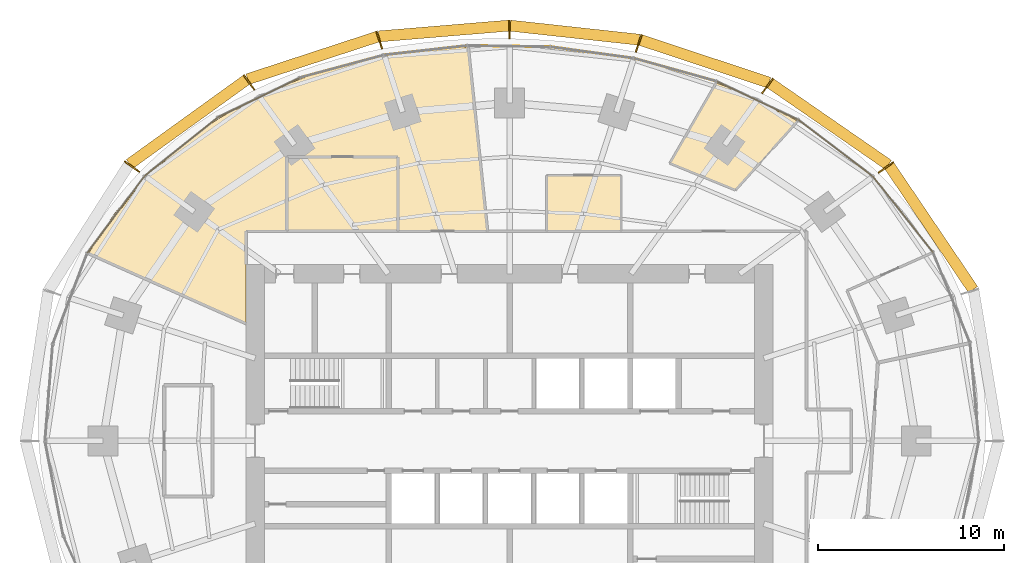
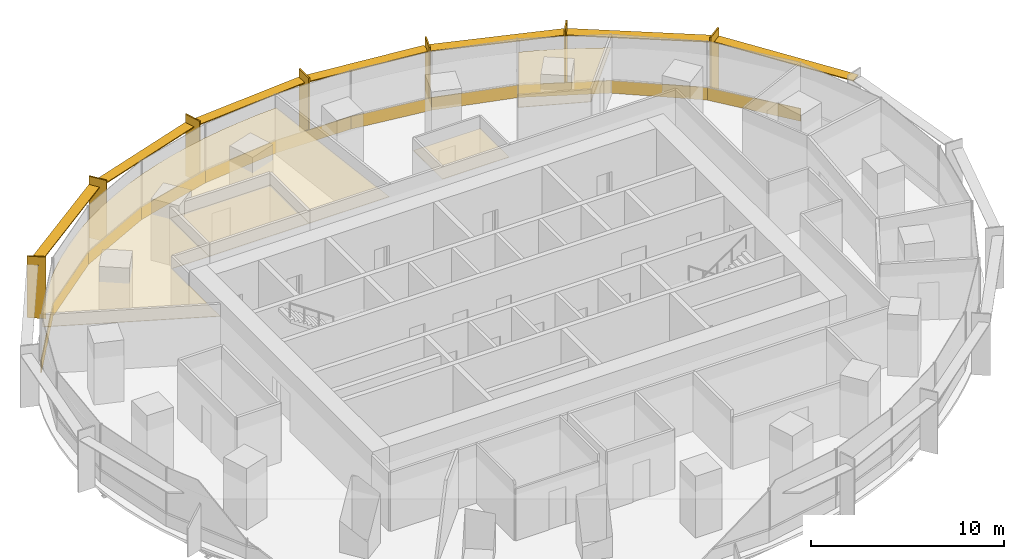
# One storey, part 14 of 14: 15 coverings, 14 shading devices.
"""IFC4 building model written with IfcOpenShell, lengths in metres."""

from ifc_helpers import new_model, si_unit, direction, frame, origin, origin_2d, place, context, subcontext, project, spatial, polyline, rectangle, outline, extrude, material, layer, layer_set, type_object, element, save


model = new_model("IFC4")

# Units and contexts
model_context = context("Model", 3, precision=1e-05, world=origin(), true_north=direction((0.0, 1.0)))
body_context = subcontext(model_context, "Body", "Model", "MODEL_VIEW")
ifc_project = project(units=[si_unit("LENGTHUNIT", "METRE"), si_unit("AREAUNIT", "SQUARE_METRE"), si_unit("VOLUMEUNIT", "CUBIC_METRE"), si_unit("PLANEANGLEUNIT", "RADIAN"), si_unit("MASSUNIT", "GRAM", prefix="KILO")], contexts=[model_context])

# Site, building, storey
site_placement = place(None, origin())
site = spatial("IfcSite", under=ifc_project, at=site_placement, CompositionType="ELEMENT")
building_placement = place(site_placement, origin())
building = spatial("IfcBuilding", under=site, at=building_placement, Name="Marramba Exchange Tower", CompositionType="ELEMENT")
storey_placement = place(building_placement, frame((0.0, 0.0, 131.39990234375)))
storey = spatial("IfcBuildingStorey", under=building, at=storey_placement, Name="L31", CompositionType="ELEMENT", Elevation=131.39990234375)

# Shading devices
ifc_material_1 = material(Name="Aluminium blade, timber-look bronze finish", Category="wood")
ifc_layer_1 = layer(ifc_material_1, 0.080078125)
ifc_layer_set_1 = layer_set([ifc_layer_1], Name="Floor-edge blade 1000x80")
shading_device_type_1 = type_object("IfcShadingDeviceType", Name="Floor-edge blade 1000x80", PredefinedType="USERDEFINED", material=ifc_layer_set_1)
for number, where, z_axis, x_axis, name in (
    (1, (20.27392578125, 14.72998046875, -0.159912109375), (0.0, 0.0, 1.0), (0.809016994375, 0.587785252292, 0.0), "Floor-edge blade FB1 L31 TC03"),
    (2, (13.8955078125, 19.12548828125, -0.159912109375), (0.0, 0.0, 1.0), (0.587785252292, 0.809016994375, 0.0), "Floor-edge blade FB1 L31 TC04"),
    (3, (6.958984375, 21.41748046875, -0.159912109375), (0.0, 0.0, 1.0), (0.309016994375, 0.951056516295, 0.0), "Floor-edge blade FB1 L31 TC05"),
    (4, (0.0, 22.173095703125, -0.159912109375), (0.0, 0.0, 1.0), (0.0, 1.0, 0.0), "Floor-edge blade FB1 L31 TC06"),
    (5, (-7.016845703125, 21.595703125, -0.159912109375), (0.0, 0.0, 1.0), (-0.309016994375, 0.951056516295, 0.0), "Floor-edge blade FB1 L31 TC07"),
    (6, (-14.029296875, 19.3095703125, -0.159912109375), (0.0, 0.0, 1.0), (-0.587785252292, 0.809016994375, 0.0), "Floor-edge blade FB1 L31 TC08"),
    (7, (-20.33642578125, 14.775390625, -0.159912109375), (0.0, 0.0, 1.0), (-0.809016994375, 0.587785252292, 0.0), "Floor-edge blade FB1 L31 TC09"),
):
    element("IfcShadingDevice", number, at=place(storey_placement, frame(where, z_axis=z_axis, x_axis=x_axis)), inside=storey, type_object=shading_device_type_1, Name=name, ObjectType="FIN", PredefinedType="USERDEFINED", context=body_context, shape_type="SweptSolid", body=[
        extrude(rectangle(XDim=1.0, YDim=0.080078125, at=origin_2d()), origin(), (0.0, 0.0, 1.0), 3.89990234375),
    ])
ifc_material_2 = material(Name="Aluminium sunshade, bronze anodised", Category="aluminium")
ifc_layer_2 = layer(ifc_material_2, 0.06005859375)
ifc_layer_set_2 = layer_set([ifc_layer_2], Name="SUNSHADE blade 600x60")
shading_device_type_2 = type_object("IfcShadingDeviceType", Name="SUNSHADE blade 600x60", PredefinedType="USERDEFINED", material=ifc_layer_set_2)
shading_device_1_placement = place(storey_placement, frame((22.712158203125, 11.4833984375, 3.16015625), z_axis=(0.0, 0.0, 1.0), x_axis=(-0.560441804861, 0.828193807852, 0.0)))
element("IfcShadingDevice", 8, at=shading_device_1_placement, inside=storey, type_object=shading_device_type_2, Name="Sunshade SS1 L31 bay 02", ObjectType="SUNSHADE", PredefinedType="USERDEFINED", context=body_context, shape_type="SweptSolid", body=[
    extrude(rectangle(XDim=8.0439453125, YDim=0.60009765625, at=origin_2d()), origin(), (0.0, 0.0, 1.0), 0.06005859375),
])
shading_device_2_placement = place(storey_placement, frame((17.224365234375, 17.0673828125, 3.16015625), z_axis=(0.0, 0.0, 1.0), x_axis=(-0.822589509071, 0.568635647464, 0.0)))
element("IfcShadingDevice", 9, at=shading_device_2_placement, inside=storey, type_object=shading_device_type_2, Name="Sunshade SS1 L31 bay 03", ObjectType="SUNSHADE", PredefinedType="USERDEFINED", context=body_context, shape_type="SweptSolid", body=[
    extrude(rectangle(XDim=7.72802734375, YDim=0.60009765625, at=origin_2d()), origin(), (0.0, 0.0, 1.0), 0.06005859375),
])
shading_device_3_placement = place(storey_placement, frame((10.516845703125, 20.447509765625, 3.16015625), z_axis=(0.0, 0.0, 1.0), x_axis=(-0.949101076178, 0.314971660944, 0.0)))
element("IfcShadingDevice", 10, at=shading_device_3_placement, inside=storey, type_object=shading_device_type_2, Name="Sunshade SS1 L31 bay 04", ObjectType="SUNSHADE", PredefinedType="USERDEFINED", context=body_context, shape_type="SweptSolid", body=[
    extrude(rectangle(XDim=7.287353515625, YDim=0.60009765625, at=origin_2d()), origin(), (0.0, 0.0, 1.0), 0.06005859375),
])
shading_device_4_placement = place(storey_placement, frame((3.510498046875, 21.990478515625, 3.16015625), z_axis=(0.0, 0.0, 1.0), x_axis=(-0.994111392801, 0.108362995081, 0.0)))
element("IfcShadingDevice", 11, at=shading_device_4_placement, inside=storey, type_object=shading_device_type_2, Name="Sunshade SS1 L31 bay 05", ObjectType="SUNSHADE", PredefinedType="USERDEFINED", context=body_context, shape_type="SweptSolid", body=[
    extrude(rectangle(XDim=6.982421875, YDim=0.60009765625, at=origin_2d()), origin(), (0.0, 0.0, 1.0), 0.06005859375),
])
shading_device_5_placement = place(storey_placement, frame((-3.539306640625, 22.07958984375, 3.16015625), z_axis=(0.0, 0.0, 1.0), x_axis=(-0.996577838412, -0.08265961521, 0.0)))
element("IfcShadingDevice", 12, at=shading_device_5_placement, inside=storey, type_object=shading_device_type_2, Name="Sunshade SS1 L31 bay 06", ObjectType="SUNSHADE", PredefinedType="USERDEFINED", context=body_context, shape_type="SweptSolid", body=[
    extrude(rectangle(XDim=7.02294921875, YDim=0.60009765625, at=origin_2d()), origin(), (0.0, 0.0, 1.0), 0.06005859375),
])
shading_device_6_placement = place(storey_placement, frame((-10.61279296875, 20.628662109375, 3.16015625), z_axis=(0.0, 0.0, 1.0), x_axis=(-0.950345637432, -0.311196351865, 0.0)))
element("IfcShadingDevice", 13, at=shading_device_6_placement, inside=storey, type_object=shading_device_type_2, Name="Sunshade SS1 L31 bay 07", ObjectType="SUNSHADE", PredefinedType="USERDEFINED", context=body_context, shape_type="SweptSolid", body=[
    extrude(rectangle(XDim=7.357421875, YDim=0.60009765625, at=origin_2d()), origin(), (0.0, 0.0, 1.0), 0.06005859375),
])
shading_device_7_placement = place(storey_placement, frame((-17.322509765625, 17.18212890625, 3.16015625), z_axis=(0.0, 0.0, 1.0), x_axis=(-0.811199164202, -0.584769968448, 0.0)))
element("IfcShadingDevice", 14, at=shading_device_7_placement, inside=storey, type_object=shading_device_type_2, Name="Sunshade SS1 L31 bay 08", ObjectType="SUNSHADE", PredefinedType="USERDEFINED", context=body_context, shape_type="SweptSolid", body=[
    extrude(rectangle(XDim=7.749755859375, YDim=0.60009765625, at=origin_2d()), origin(), (0.0, 0.0, 1.0), 0.06005859375),
])

# Coverings
ifc_material_3 = material(Name="Aluminium spandrel panel, bronze anodised, insulated", Category="aluminium")
ifc_layer_3 = layer(ifc_material_3, 0.050048828125)
ifc_layer_set_3 = layer_set([ifc_layer_3], Name="Spandrel panel 800")
covering_type_1 = type_object("IfcCoveringType", Name="Spandrel panel 800", PredefinedType="CLADDING", material=ifc_layer_set_3)
covering_1_placement = place(storey_placement, frame((21.20068359375, 12.194091796875, 0.0), z_axis=(0.0, 0.0, 1.0), x_axis=(-0.621311998758, 0.783563271344, 0.0)))
element("IfcCovering", 15, at=covering_1_placement, inside=storey, type_object=covering_type_1, Name="Spandrel panel SP1 L31 F03", PredefinedType="CLADDING", context=body_context, shape_type="SweptSolid", body=[
    extrude(rectangle(XDim=5.197021484375, YDim=0.050048828125, at=origin_2d()), origin(), (0.0, 0.0, 1.0), 0.800048828125),
])
covering_2_placement = place(storey_placement, frame((17.576171875, 15.759033203125, 0.0), z_axis=(0.0, 0.0, 1.0), x_axis=(-0.795971745176, 0.605333776426, 0.0)))
element("IfcCovering", 16, at=covering_2_placement, inside=storey, type_object=covering_type_1, Name="Spandrel panel SP1 L31 F04", PredefinedType="CLADDING", context=body_context, shape_type="SweptSolid", body=[
    extrude(rectangle(XDim=5.05078125, YDim=0.050048828125, at=origin_2d()), origin(), (0.0, 0.0, 1.0), 0.800048828125),
])
covering_3_placement = place(storey_placement, frame((13.371337890625, 18.322998046875, 0.0), z_axis=(0.0, 0.0, 1.0), x_axis=(-0.904403135206, 0.426678999987, 0.0)))
element("IfcCovering", 17, at=covering_3_placement, inside=storey, type_object=covering_type_1, Name="Spandrel panel SP1 L31 F05", PredefinedType="CLADDING", context=body_context, shape_type="SweptSolid", body=[
    extrude(rectangle(XDim=4.853271484375, YDim=0.050048828125, at=origin_2d()), origin(), (0.0, 0.0, 1.0), 0.800048828125),
])
covering_4_placement = place(storey_placement, frame((8.9365234375, 19.98388671875, 0.0), z_axis=(0.0, 0.0, 1.0), x_axis=(-0.963177847397, 0.268865085655, 0.0)))
element("IfcCovering", 18, at=covering_4_placement, inside=storey, type_object=covering_type_1, Name="Spandrel panel SP1 L31 F06", PredefinedType="CLADDING", context=body_context, shape_type="SweptSolid", body=[
    extrude(rectangle(XDim=4.651611328125, YDim=0.050048828125, at=origin_2d()), origin(), (0.0, 0.0, 1.0), 0.800048828125),
])
covering_5_placement = place(storey_placement, frame((4.46337890625, 20.915283203125, 0.0), z_axis=(0.0, 0.0, 1.0), x_axis=(-0.990738214019, 0.135785828725, 0.0)))
element("IfcCovering", 19, at=covering_5_placement, inside=storey, type_object=covering_type_1, Name="Spandrel panel SP1 L31 F07", PredefinedType="CLADDING", context=body_context, shape_type="SweptSolid", body=[
    extrude(rectangle(XDim=4.507568359375, YDim=0.050048828125, at=origin_2d()), origin(), (0.0, 0.0, 1.0), 0.800048828125),
])
covering_6_placement = place(storey_placement, frame((-0.003662109375, 21.25634765625, 0.0), z_axis=(0.0, 0.0, 1.0), x_axis=(-0.999875870008, 0.015755779107, 0.0)))
element("IfcCovering", 20, at=covering_6_placement, inside=storey, type_object=covering_type_1, Name="Spandrel panel SP1 L31 F08", PredefinedType="CLADDING", context=body_context, shape_type="SweptSolid", body=[
    extrude(rectangle(XDim=4.46875, YDim=0.050048828125, at=origin_2d()), origin(), (0.0, 0.0, 1.0), 0.800048828125),
])
covering_7_placement = place(storey_placement, frame((-4.49609375, 21.03955078125, 0.0), z_axis=(0.0, 0.0, 1.0), x_axis=(-0.993823395975, -0.110973229261, 0.0)))
element("IfcCovering", 21, at=covering_7_placement, inside=storey, type_object=covering_type_1, Name="Spandrel panel SP1 L31 F09", PredefinedType="CLADDING", context=body_context, shape_type="SweptSolid", body=[
    extrude(rectangle(XDim=4.54443359375, YDim=0.050048828125, at=origin_2d()), origin(), (0.0, 0.0, 1.0), 0.800048828125),
])
covering_8_placement = place(storey_placement, frame((-9.0244140625, 20.17529296875, 0.0), z_axis=(0.0, 0.0, 1.0), x_axis=(-0.965522049344, -0.26032128655, 0.0)))
element("IfcCovering", 22, at=covering_8_placement, inside=storey, type_object=covering_type_1, Name="Spandrel panel SP1 L31 F10", PredefinedType="CLADDING", context=body_context, shape_type="SweptSolid", body=[
    extrude(rectangle(XDim=4.70263671875, YDim=0.050048828125, at=origin_2d()), origin(), (0.0, 0.0, 1.0), 0.800048828125),
])
covering_9_placement = place(storey_placement, frame((-13.49609375, 18.498291015625, 0.0), z_axis=(0.0, 0.0, 1.0), x_axis=(-0.900223736484, -0.435427633794, 0.0)))
element("IfcCovering", 23, at=covering_9_placement, inside=storey, type_object=covering_type_1, Name="Spandrel panel SP1 L31 F11", PredefinedType="CLADDING", context=body_context, shape_type="SweptSolid", body=[
    extrude(rectangle(XDim=4.890625, YDim=0.050048828125, at=origin_2d()), origin(), (0.0, 0.0, 1.0), 0.800048828125),
])
covering_10_placement = place(storey_placement, frame((-17.673095703125, 15.854736328125, 0.0), z_axis=(0.0, 0.0, 1.0), x_axis=(-0.781178328369, -0.624307952285, 0.0)))
element("IfcCovering", 24, at=covering_10_placement, inside=storey, type_object=covering_type_1, Name="Spandrel panel SP1 L31 F12", PredefinedType="CLADDING", context=body_context, shape_type="SweptSolid", body=[
    extrude(rectangle(XDim=5.058349609375, YDim=0.050048828125, at=origin_2d()), origin(), (0.0, 0.0, 1.0), 0.800048828125),
])
covering_11_placement = place(storey_placement, frame((-21.19580078125, 12.20068359375, 0.0), z_axis=(0.0, 0.0, 1.0), x_axis=(-0.597703998161, -0.801716864349, 0.0)))
element("IfcCovering", 25, at=covering_11_placement, inside=storey, type_object=covering_type_1, Name="Spandrel panel SP1 L31 F13", PredefinedType="CLADDING", context=body_context, shape_type="SweptSolid", body=[
    extrude(rectangle(XDim=5.17626953125, YDim=0.050048828125, at=origin_2d()), origin(), (0.0, 0.0, 1.0), 0.800048828125),
])
ifc_material_4 = material(Name="Mineral fibre ceiling tiles", Category="gypsum")
ifc_layer_4 = layer(ifc_material_4, 0.02001953125)
ifc_layer_set_4 = layer_set([ifc_layer_4], Name="Suspended ceiling 20")
covering_type_2 = type_object("IfcCoveringType", Name="Suspended ceiling 20", PredefinedType="CEILING", material=ifc_layer_set_4)
covering_12_placement = place(storey_placement, frame((0.0, 0.0, 2.900146484375)))
element("IfcCovering", 26, at=covering_12_placement, inside=storey, type_object=covering_type_2, Name="Ceiling CL1 L31 Open Plan Office 2", PredefinedType="CEILING", context=body_context, shape_type="SweptSolid", body=[
    extrude(outline(polyline([(-21.259765625, 12.2744140625), (-20.451904296875, 13.28173828125), (-19.583984375, 14.228759765625), (-18.66259765625, 15.11279296875), (-17.6943359375, 15.93212890625), (-16.685791015625, 16.685791015625), (-15.643798828125, 17.374267578125), (-14.57421875, 17.99755859375), (-13.482666015625, 18.55712890625), (-12.37451171875, 19.05517578125), (-11.2548828125, 19.493896484375), (-10.127197265625, 19.875732421875), (-8.995361328125, 20.203857421875), (-7.862060546875, 20.4814453125), (-6.7294921875, 20.711181640625), (-5.59912109375, 20.896484375), (-4.47216796875, 21.0400390625), (-3.34912109375, 21.14453125), (-2.2294921875, 21.212158203125), (-1.187744140625, 11.300048828125), (-6.0, 11.300048828125), (-6.0, 15.300048828125), (-12.0, 15.300048828125), (-12.0, 11.300048828125), (-14.199951171875, 11.300048828125), (-14.199951171875, 9.5), (-14.199951171875, 6.322265625), (-22.669677734375, 10.09326171875), (-22.0009765625, 11.2099609375), (-21.259765625, 12.2744140625)])), origin(), (0.0, 0.0, 1.0), 0.02001953125),
])
covering_13_placement = place(storey_placement, frame((0.0, 0.0, 2.900146484375)))
element("IfcCovering", 27, at=covering_13_placement, inside=storey, type_object=covering_type_2, Name="Ceiling CL1 L31 Office 2", PredefinedType="CEILING", context=body_context, shape_type="SweptSolid", body=[
    extrude(outline(polyline([(12.24658203125, 18.8583984375), (13.348876953125, 18.373046875), (13.653564453125, 18.221435546875), (14.43896484375, 17.830810546875), (15.512451171875, 17.228271484375), (12.166748046875, 13.512451171875), (8.63671875, 14.958984375), (11.13671875, 19.289306640625), (12.24658203125, 18.8583984375)])), origin(), (0.0, 0.0, 1.0), 0.02001953125),
])
covering_14_placement = place(storey_placement, frame((0.0, 0.0, 2.900146484375)))
element("IfcCovering", 28, at=covering_14_placement, inside=storey, type_object=covering_type_2, Name="Ceiling CL1 L31 Tea Point", PredefinedType="CEILING", context=body_context, shape_type="SweptSolid", body=[
    extrude(outline(polyline([(6.0, 11.300048828125), (2.0, 11.300048828125), (2.0, 14.300048828125), (6.0, 14.300048828125), (6.0, 11.300048828125)])), origin(), (0.0, 0.0, 1.0), 0.02001953125),
])
covering_15_placement = place(storey_placement, frame((0.0, 0.0, 2.900146484375)))
element("IfcCovering", 29, at=covering_15_placement, inside=storey, type_object=covering_type_2, Name="Ceiling CL1 L31 Meeting Room 4", PredefinedType="CEILING", context=body_context, shape_type="SweptSolid", body=[
    extrude(outline(polyline([(-6.0, 11.300048828125), (-12.0, 11.300048828125), (-12.0, 15.300048828125), (-6.0, 15.300048828125), (-6.0, 11.300048828125)])), origin(), (0.0, 0.0, 1.0), 0.02001953125),
])

save(model, "model.ifc")
